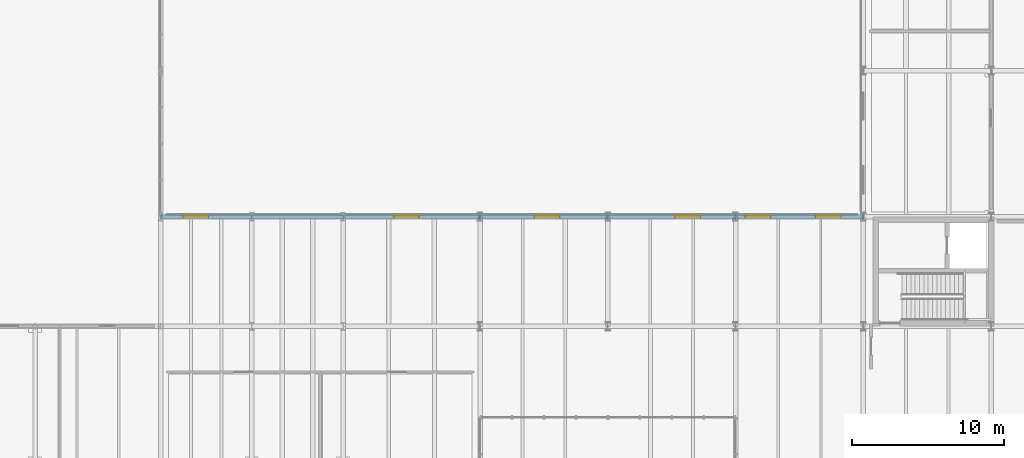
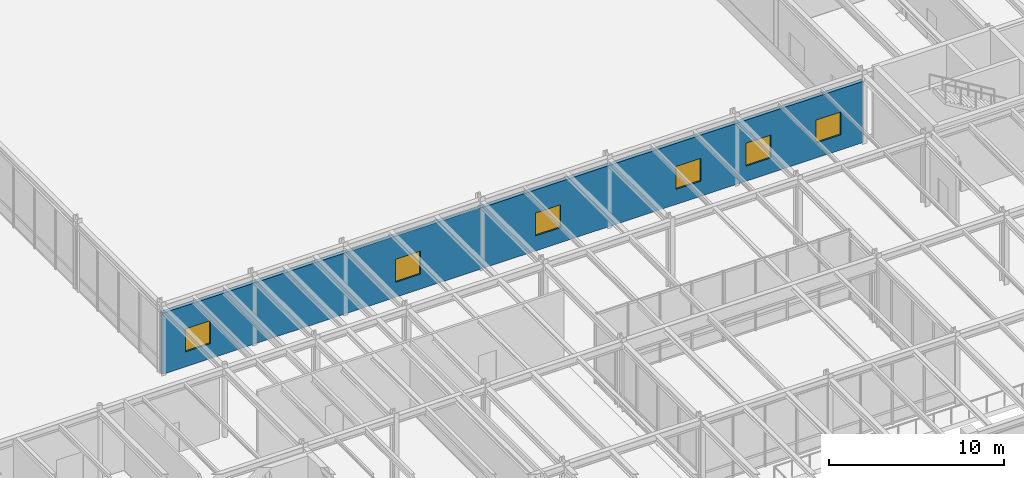
# One storey, part 42 of 64: 6 windows, 1 wall, 6 openings.
"""IFC4 building model written with IfcOpenShell, lengths in metres."""

from ifc_helpers import new_model, si_unit, direction, frame, frame_2d, origin, place, context, subcontext, project, spatial, rectangle, extrude, material, layer, layer_set, type_object, element, fill, save


model = new_model("IFC4")

# Units and contexts
model_context = context("Model", 3, precision=1e-05, world=origin(), true_north=direction((0.0, 1.0)))
body_context = subcontext(model_context, "Body", "Model", "MODEL_VIEW")
ifc_project = project(units=[si_unit("LENGTHUNIT", "METRE"), si_unit("AREAUNIT", "SQUARE_METRE"), si_unit("VOLUMEUNIT", "CUBIC_METRE"), si_unit("PLANEANGLEUNIT", "RADIAN"), si_unit("MASSUNIT", "GRAM", prefix="KILO")], contexts=[model_context])

# Site, building, storey
site_placement = place(None, origin())
site = spatial("IfcSite", under=ifc_project, at=site_placement, CompositionType="ELEMENT")
building_placement = place(site_placement, origin())
building = spatial("IfcBuilding", under=site, at=building_placement, Name="Montealbar Specialist Clinic", CompositionType="ELEMENT")
storey_placement = place(building_placement, origin())
storey = spatial("IfcBuildingStorey", under=building, at=storey_placement, Name="L00", CompositionType="ELEMENT", Elevation=0.0)

# Wall, openings, windows
ifc_material_1 = material(Name="Terracotta architectural cladding", Category="masonry")
ifc_layer = layer(ifc_material_1, 0.260009765625, Name="Terracotta architectural cladding", Category="masonry")
ifc_layer_set = layer_set([ifc_layer], Name="Terracotta architectural cladding")
wall_type = type_object("IfcWallType", Name="WL-EXT-TERRA-260", PredefinedType="SOLIDWALL", material=ifc_layer_set)
wall_placement = place(storey_placement, frame((99.0, 52.199951171875, 0.0), z_axis=(0.0, 0.0, 1.0), x_axis=(1.0, 0.0, 0.0)))
wall = element("IfcWall", 1, at=wall_placement, inside=storey, type_object=wall_type, Name="Exterior Facade Wall EW-L00-004", PredefinedType="SOLIDWALL", context=body_context, shape_type="SweptSolid", body=[
    extrude(rectangle(XDim=46.199951171875, YDim=0.260009765625, at=frame_2d((23.10009765625, 0.0))), origin(), (0.0, 0.0, 1.0), 4.260009765625),
])
opening_1_placement = place(wall_placement, frame((1.485107421875, 0.0, 1.050048828125)))
opening_1 = element("IfcOpeningElement", 2, at=opening_1_placement, cuts=wall, Name="Opening WN-04", PredefinedType="OPENING", context=body_context, shape_type="SweptSolid", body=[
    extrude(rectangle(XDim=1.64990234375, YDim=1.60009765625, at=frame_2d((0.824951171875, 0.800048828125))), frame((0.0, 0.139892578125, 0.0), z_axis=(0.0, -1.0, 0.0), x_axis=(1.0, 0.0, 0.0)), (0.0, 0.0, 1.0), 0.280029296875),
])
opening_2_placement = place(wall_placement, frame((15.344970703125, 0.0, 1.050048828125)))
opening_2 = element("IfcOpeningElement", 3, at=opening_2_placement, cuts=wall, Name="Opening WN-04", PredefinedType="OPENING", context=body_context, shape_type="SweptSolid", body=[
    extrude(rectangle(XDim=1.64990234375, YDim=1.60009765625, at=frame_2d((0.824951171875, 0.800048828125))), frame((0.0, 0.139892578125, 0.0), z_axis=(0.0, -1.0, 0.0), x_axis=(1.0, 0.0, 0.0)), (0.0, 0.0, 1.0), 0.280029296875),
])
opening_3_placement = place(wall_placement, frame((24.5849609375, 0.0, 1.050048828125)))
opening_3 = element("IfcOpeningElement", 4, at=opening_3_placement, cuts=wall, Name="Opening WN-04", PredefinedType="OPENING", context=body_context, shape_type="SweptSolid", body=[
    extrude(rectangle(XDim=1.64990234375, YDim=1.60009765625, at=frame_2d((0.824951171875, 0.800048828125))), frame((0.0, 0.139892578125, 0.0), z_axis=(0.0, -1.0, 0.0), x_axis=(1.0, 0.0, 0.0)), (0.0, 0.0, 1.0), 0.280029296875),
])
opening_4_placement = place(wall_placement, frame((33.824951171875, 0.0, 1.050048828125)))
opening_4 = element("IfcOpeningElement", 5, at=opening_4_placement, cuts=wall, Name="Opening WN-04", PredefinedType="OPENING", context=body_context, shape_type="SweptSolid", body=[
    extrude(rectangle(XDim=1.64990234375, YDim=1.60009765625, at=frame_2d((0.824951171875, 0.800048828125))), frame((0.0, 0.139892578125, 0.0), z_axis=(0.0, -1.0, 0.0), x_axis=(1.0, 0.0, 0.0)), (0.0, 0.0, 1.0), 0.280029296875),
])
opening_5_placement = place(wall_placement, frame((38.445068359375, 0.0, 1.050048828125)))
opening_5 = element("IfcOpeningElement", 6, at=opening_5_placement, cuts=wall, Name="Opening WN-04", PredefinedType="OPENING", context=body_context, shape_type="SweptSolid", body=[
    extrude(rectangle(XDim=1.64990234375, YDim=1.60009765625, at=frame_2d((0.824951171875, 0.800048828125))), frame((0.0, 0.139892578125, 0.0), z_axis=(0.0, -1.0, 0.0), x_axis=(1.0, 0.0, 0.0)), (0.0, 0.0, 1.0), 0.280029296875),
])
opening_6_placement = place(wall_placement, frame((43.06494140625, 0.0, 1.050048828125)))
opening_6 = element("IfcOpeningElement", 7, at=opening_6_placement, cuts=wall, Name="Opening WN-04", PredefinedType="OPENING", context=body_context, shape_type="SweptSolid", body=[
    extrude(rectangle(XDim=1.64990234375, YDim=1.60009765625, at=frame_2d((0.824951171875, 0.800048828125))), frame((0.0, 0.139892578125, 0.0), z_axis=(0.0, -1.0, 0.0), x_axis=(1.0, 0.0, 0.0)), (0.0, 0.0, 1.0), 0.280029296875),
])
ifc_material_2 = material(Name="Low-E double glazing", Category="glass")
window_type = type_object("IfcWindowType", Name="WIN-WN-04", PartitioningType="SINGLE_PANEL", PredefinedType="WINDOW", material=ifc_material_2)
window_1_placement = place(opening_1_placement, origin())
window_1 = element("IfcWindow", 8, at=window_1_placement, inside=storey, type_object=window_type, Name="Clinical Facade Window WN-04 L00-0009", OverallHeight=1.60009765625, OverallWidth=1.64990234375, PartitioningType="SINGLE_PANEL", PredefinedType="WINDOW", context=body_context, shape_type="SweptSolid", body=[
    extrude(rectangle(XDim=1.64990234375, YDim=1.60009765625, at=frame_2d((0.824951171875, 0.800048828125))), frame((0.0, 0.030029296875, 0.0), z_axis=(0.0, -1.0, 0.0), x_axis=(1.0, 0.0, 0.0)), (0.0, 0.0, 1.0), 0.06005859375),
])
fill(opening_1, window_1)
window_2_placement = place(opening_2_placement, origin())
window_2 = element("IfcWindow", 9, at=window_2_placement, inside=storey, type_object=window_type, Name="Clinical Facade Window WN-04 L00-0010", OverallHeight=1.60009765625, OverallWidth=1.64990234375, PartitioningType="SINGLE_PANEL", PredefinedType="WINDOW", context=body_context, shape_type="SweptSolid", body=[
    extrude(rectangle(XDim=1.64990234375, YDim=1.60009765625, at=frame_2d((0.824951171875, 0.800048828125))), frame((0.0, 0.030029296875, 0.0), z_axis=(0.0, -1.0, 0.0), x_axis=(1.0, 0.0, 0.0)), (0.0, 0.0, 1.0), 0.06005859375),
])
fill(opening_2, window_2)
window_3_placement = place(opening_3_placement, origin())
window_3 = element("IfcWindow", 10, at=window_3_placement, inside=storey, type_object=window_type, Name="Clinical Facade Window WN-04 L00-0011", OverallHeight=1.60009765625, OverallWidth=1.64990234375, PartitioningType="SINGLE_PANEL", PredefinedType="WINDOW", context=body_context, shape_type="SweptSolid", body=[
    extrude(rectangle(XDim=1.64990234375, YDim=1.60009765625, at=frame_2d((0.824951171875, 0.800048828125))), frame((0.0, 0.030029296875, 0.0), z_axis=(0.0, -1.0, 0.0), x_axis=(1.0, 0.0, 0.0)), (0.0, 0.0, 1.0), 0.06005859375),
])
fill(opening_3, window_3)
window_4_placement = place(opening_4_placement, origin())
window_4 = element("IfcWindow", 11, at=window_4_placement, inside=storey, type_object=window_type, Name="Clinical Facade Window WN-04 L00-0012", OverallHeight=1.60009765625, OverallWidth=1.64990234375, PartitioningType="SINGLE_PANEL", PredefinedType="WINDOW", context=body_context, shape_type="SweptSolid", body=[
    extrude(rectangle(XDim=1.64990234375, YDim=1.60009765625, at=frame_2d((0.824951171875, 0.800048828125))), frame((0.0, 0.030029296875, 0.0), z_axis=(0.0, -1.0, 0.0), x_axis=(1.0, 0.0, 0.0)), (0.0, 0.0, 1.0), 0.06005859375),
])
fill(opening_4, window_4)
window_5_placement = place(opening_5_placement, origin())
window_5 = element("IfcWindow", 12, at=window_5_placement, inside=storey, type_object=window_type, Name="Clinical Facade Window WN-04 L00-0013", OverallHeight=1.60009765625, OverallWidth=1.64990234375, PartitioningType="SINGLE_PANEL", PredefinedType="WINDOW", context=body_context, shape_type="SweptSolid", body=[
    extrude(rectangle(XDim=1.64990234375, YDim=1.60009765625, at=frame_2d((0.824951171875, 0.800048828125))), frame((0.0, 0.030029296875, 0.0), z_axis=(0.0, -1.0, 0.0), x_axis=(1.0, 0.0, 0.0)), (0.0, 0.0, 1.0), 0.06005859375),
])
fill(opening_5, window_5)
window_6_placement = place(opening_6_placement, origin())
window_6 = element("IfcWindow", 13, at=window_6_placement, inside=storey, type_object=window_type, Name="Clinical Facade Window WN-04 L00-0014", OverallHeight=1.60009765625, OverallWidth=1.64990234375, PartitioningType="SINGLE_PANEL", PredefinedType="WINDOW", context=body_context, shape_type="SweptSolid", body=[
    extrude(rectangle(XDim=1.64990234375, YDim=1.60009765625, at=frame_2d((0.824951171875, 0.800048828125))), frame((0.0, 0.030029296875, 0.0), z_axis=(0.0, -1.0, 0.0), x_axis=(1.0, 0.0, 0.0)), (0.0, 0.0, 1.0), 0.06005859375),
])
fill(opening_6, window_6)

save(model, "model.ifc")
